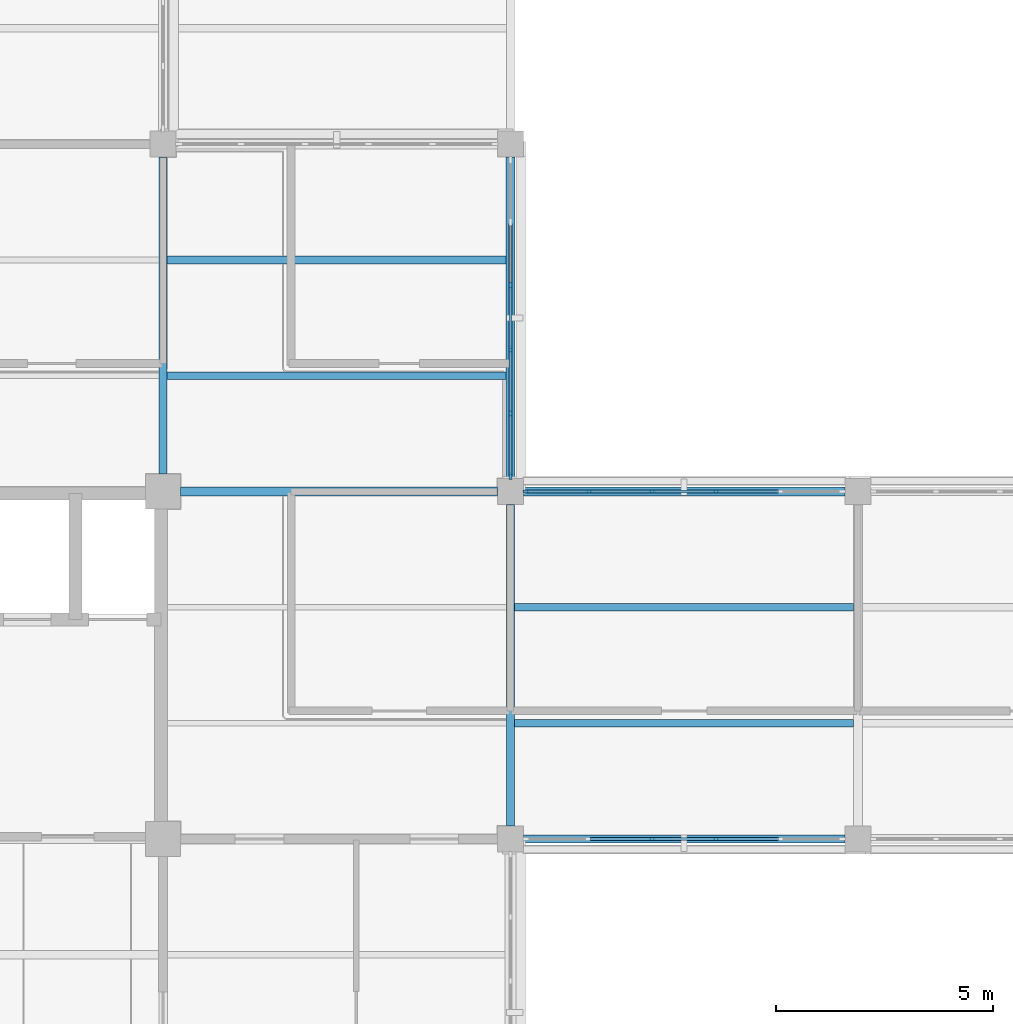
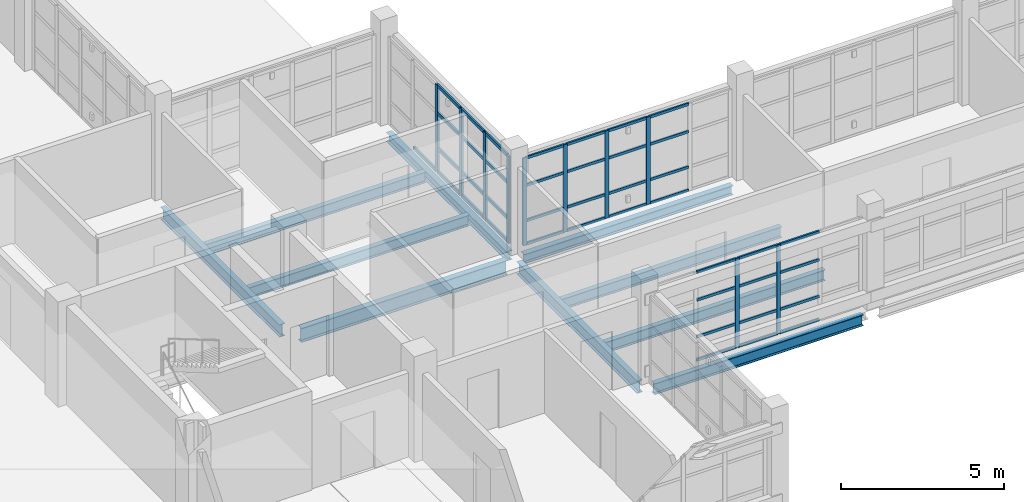
# One storey, part 30 of 126: 51 members, 10 beams, 3 elements without a shape of their own.
"""IFC4 building model written with IfcOpenShell, lengths in metres."""

from ifc_helpers import new_model, si_unit, derived_unit, direction, frame, origin, origin_2d, place, context, subcontext, project, spatial, rectangle, i_section, extrude, material, layer, layer_set, material_profile, profile_set, type_object, element, aggregate, save


model = new_model("IFC4")

# Units and contexts
model_context = context("Model", 3, precision=1e-05, world=origin(), true_north=direction((0.0, 1.0)))
body_context = subcontext(model_context, "Body", "Model", "MODEL_VIEW")
ifc_project = project(units=[si_unit("LENGTHUNIT", "METRE"), si_unit("AREAUNIT", "SQUARE_METRE"), si_unit("VOLUMEUNIT", "CUBIC_METRE"), si_unit("PLANEANGLEUNIT", "RADIAN"), si_unit("MASSUNIT", "GRAM", prefix="KILO"), derived_unit("THERMALTRANSMITTANCEUNIT", [(si_unit("MASSUNIT", "GRAM", prefix="KILO"), 1), (si_unit("TIMEUNIT", "SECOND"), -3), (si_unit("THERMODYNAMICTEMPERATUREUNIT", "KELVIN"), -1)])], contexts=[model_context])

# Site, building, storey
site_placement = place(None, origin())
site = spatial("IfcSite", under=ifc_project, at=site_placement, CompositionType="ELEMENT")
building_placement = place(site_placement, origin())
building = spatial("IfcBuilding", under=site, at=building_placement, Name="Veyamyaing Civic Hall", CompositionType="ELEMENT")
storey_placement = place(building_placement, frame((0.0, 0.0, 9.89990234375)))
storey = spatial("IfcBuildingStorey", under=building, at=storey_placement, Name="L02", CompositionType="ELEMENT", Elevation=9.89990234375)

# Beams
ifc_material_1 = material(Name="Steel ASTM A992", Category="steel")
ifc_material_profile_1 = material_profile(ifc_material_1, i_section(OverallWidth=0.208984375, OverallDepth=0.532958984375, WebThickness=0.01025390625, FlangeThickness=0.015625, FilletRadius=0.011962890625, at=origin_2d()), Name="W530X92")
ifc_profile_set_1 = profile_set([ifc_material_profile_1], Name="Steel ASTM A992")
beam_type_1 = type_object("IfcBeamType", Name="B-07", PredefinedType="BEAM", material=ifc_profile_set_1)
beam_1_placement = place(storey_placement, frame((112.39990234375, 56.0, -0.551513671875), z_axis=(1.0, 0.0, 0.0), x_axis=(0.0, 1.0, 0.0)))
element("IfcBeam", 1, at=beam_1_placement, inside=storey, type_object=beam_type_1, Name="Girder B-07 L02 Grid H 15-16", PredefinedType="BEAM", context=body_context, shape_type="SweptSolid", body=[
    extrude(i_section(OverallWidth=0.208984375, OverallDepth=0.532958984375, WebThickness=0.01025390625, FlangeThickness=0.015625, FilletRadius=0.011962890625, at=origin_2d()), origin(), (0.0, 0.0, 1.0), 7.300048828125),
])
ifc_material_profile_2 = material_profile(ifc_material_1, i_section(OverallWidth=0.19189453125, OverallDepth=0.462890625, WebThickness=0.010498046875, FlangeThickness=0.017578125, FilletRadius=0.010009765625, at=origin_2d()), Name="W460X89")
ifc_profile_set_2 = profile_set([ifc_material_profile_2], Name="Steel ASTM A992")
beam_type_2 = type_object("IfcBeamType", Name="B-08", PredefinedType="BEAM", material=ifc_profile_set_2)
beam_2_placement = place(storey_placement, frame((112.0, 56.39990234375, -0.516357421875), z_axis=(0.0, 1.0, 0.0), x_axis=(-1.0, 0.0, 0.0)))
element("IfcBeam", 2, at=beam_2_placement, inside=storey, type_object=beam_type_2, Name="Girder B-08 L02 Grid 15 H-J", PredefinedType="BEAM", context=body_context, shape_type="SweptSolid", body=[
    extrude(i_section(OverallWidth=0.19189453125, OverallDepth=0.462890625, WebThickness=0.010498046875, FlangeThickness=0.017578125, FilletRadius=0.010009765625, at=origin_2d()), origin(), (0.0, 0.0, 1.0), 7.300048828125),
])
beam_3_placement = place(storey_placement, frame((120.0, 48.300048828125, -0.516357421875), z_axis=(0.0, 1.0, 0.0), x_axis=(-1.0, 0.0, 0.0)))
element("IfcBeam", 3, at=beam_3_placement, inside=storey, type_object=beam_type_2, Name="Girder B-08 L02 Grid 16 G-H", PredefinedType="BEAM", context=body_context, shape_type="SweptSolid", body=[
    extrude(i_section(OverallWidth=0.19189453125, OverallDepth=0.462890625, WebThickness=0.010498046875, FlangeThickness=0.017578125, FilletRadius=0.010009765625, at=origin_2d()), origin(), (0.0, 0.0, 1.0), 7.39990234375),
])
ifc_material_profile_3 = material_profile(ifc_material_1, i_section(OverallWidth=0.179931640625, OverallDepth=0.4130859375, WebThickness=0.009765625, FlangeThickness=0.01611328125, FilletRadius=0.010009765625, at=origin_2d()), Name="W410X74")
ifc_profile_set_3 = profile_set([ifc_material_profile_3], Name="Steel ASTM A992")
beam_type_3 = type_object("IfcBeamType", Name="B-10", PredefinedType="SPANDREL", material=ifc_profile_set_3)
beam_4_placement = place(storey_placement, frame((120.300048828125, 48.0, -0.491455078125), z_axis=(1.0, 0.0, 0.0), x_axis=(0.0, 1.0, 0.0)))
element("IfcBeam", 4, at=beam_4_placement, inside=storey, type_object=beam_type_3, Name="Girder B-10 L02 Grid G 16-17", PredefinedType="SPANDREL", context=body_context, shape_type="SweptSolid", body=[
    extrude(i_section(OverallWidth=0.179931640625, OverallDepth=0.4130859375, WebThickness=0.009765625, FlangeThickness=0.01611328125, FilletRadius=0.010009765625, at=origin_2d()), origin(), (0.0, 0.0, 1.0), 7.39990234375),
])
ifc_material_profile_4 = material_profile(ifc_material_1, i_section(OverallWidth=0.2041015625, OverallDepth=0.35009765625, WebThickness=0.0078125, FlangeThickness=0.01513671875, FilletRadius=0.010009765625, at=origin_2d()), Name="W360X72")
ifc_profile_set_4 = profile_set([ifc_material_profile_4], Name="Steel ASTM A992")
beam_type_4 = type_object("IfcBeamType", Name="B-11", PredefinedType="SPANDREL", material=ifc_profile_set_4)
for number, where, z_axis, x_axis, name in (
    (5, (120.300048828125, 56.0, -0.4599609375), (1.0, 0.0, 0.0), (0.0, 1.0, 0.0), "Girder B-11 L02 Grid H 16-17"),
    (6, (120.0, 56.300048828125, -0.4599609375), (0.0, 1.0, 0.0), (-1.0, 0.0, 0.0), "Girder B-11 L02 Grid 16 H-J"),
):
    element("IfcBeam", number, at=place(storey_placement, frame(where, z_axis=z_axis, x_axis=x_axis)), inside=storey, type_object=beam_type_4, Name=name, PredefinedType="SPANDREL", context=body_context, shape_type="SweptSolid", body=[
        extrude(i_section(OverallWidth=0.2041015625, OverallDepth=0.35009765625, WebThickness=0.0078125, FlangeThickness=0.01513671875, FilletRadius=0.010009765625, at=origin_2d()), origin(), (0.0, 0.0, 1.0), 7.39990234375),
    ])

# Curtain wall, members
ifc_material_2 = material(Name="Anodised aluminium 6063-T6", Category="aluminium")
ifc_layer_1 = layer(ifc_material_2, 0.159912109375, Name="Anodised aluminium 6063-T6")
ifc_layer_set_1 = layer_set([ifc_layer_1], Name="Anodised aluminium 6063-T6")
curtain_wall_type_1 = type_object("IfcCurtainWallType", Name="CW-03", PredefinedType="NOTDEFINED", material=ifc_layer_set_1)
curtain_wall_1_placement = place(storey_placement, origin())
curtain_wall_1 = element("IfcCurtainWall", 7, at=curtain_wall_1_placement, inside=storey, type_object=curtain_wall_type_1, Name="Unitized curtain wall CW-03 L02 E 15.8", PredefinedType="NOTDEFINED")
ifc_material_profile_5 = material_profile(ifc_material_2, rectangle(XDim=0.06494140625, YDim=0.159912109375, at=origin_2d()), Name="ALU-MUL-65X160")
ifc_profile_set_5 = profile_set([ifc_material_profile_5], Name="Anodised aluminium 6063-T6")
member_type_1 = type_object("IfcMemberType", Name="CWM-01", PredefinedType="MULLION", material=ifc_profile_set_5)
member_1_placement = place(storey_placement, frame((120.0, 56.362548828125, 0.0), z_axis=(0.0, 0.0, 1.0), x_axis=(-1.0, 0.0, 0.0)))
member_1 = element("IfcMember", 8, at=member_1_placement, type_object=member_type_1, Name="CW-03 mullion 1", PredefinedType="MULLION", context=body_context, shape_type="SweptSolid", body=[
    extrude(rectangle(XDim=0.06494140625, YDim=0.159912109375, at=origin_2d()), origin(), (0.0, 0.0, 1.0), 3.280029296875),
])
member_2_placement = place(storey_placement, frame((120.0, 57.798095703125, 0.0), z_axis=(0.0, 0.0, 1.0), x_axis=(-1.0, 0.0, 0.0)))
member_2 = element("IfcMember", 9, at=member_2_placement, type_object=member_type_1, Name="CW-03 mullion 2", PredefinedType="MULLION", context=body_context, shape_type="SweptSolid", body=[
    extrude(rectangle(XDim=0.06494140625, YDim=0.159912109375, at=origin_2d()), origin(), (0.0, 0.0, 1.0), 3.280029296875),
])
member_3_placement = place(storey_placement, frame((120.0, 59.26611328125, 0.0), z_axis=(0.0, 0.0, 1.0), x_axis=(-1.0, 0.0, 0.0)))
member_3 = element("IfcMember", 10, at=member_3_placement, type_object=member_type_1, Name="CW-03 mullion 3", PredefinedType="MULLION", context=body_context, shape_type="SweptSolid", body=[
    extrude(rectangle(XDim=0.06494140625, YDim=0.159912109375, at=origin_2d()), origin(), (0.0, 0.0, 1.0), 3.280029296875),
])
member_4_placement = place(storey_placement, frame((120.0, 60.73388671875, 0.0), z_axis=(0.0, 0.0, 1.0), x_axis=(-1.0, 0.0, 0.0)))
member_4 = element("IfcMember", 11, at=member_4_placement, type_object=member_type_1, Name="CW-03 mullion 4", PredefinedType="MULLION", context=body_context, shape_type="SweptSolid", body=[
    extrude(rectangle(XDim=0.06494140625, YDim=0.159912109375, at=origin_2d()), origin(), (0.0, 0.0, 1.0), 3.280029296875),
])

ifc_layer_2 = layer(ifc_material_2, 0.139892578125, Name="Anodised aluminium 6063-T6")
ifc_layer_set_2 = layer_set([ifc_layer_2], Name="Anodised aluminium 6063-T6")
curtain_wall_type_2 = type_object("IfcCurtainWallType", Name="CW-04", PredefinedType="NOTDEFINED", material=ifc_layer_set_2)
curtain_wall_2_placement = place(storey_placement, origin())
curtain_wall_2 = element("IfcCurtainWall", 12, at=curtain_wall_2_placement, inside=storey, type_object=curtain_wall_type_2, Name="Unitized curtain wall CW-04 L02 S 16.7", PredefinedType="NOTDEFINED")
ifc_material_profile_6 = material_profile(ifc_material_2, rectangle(XDim=0.06005859375, YDim=0.139892578125, at=origin_2d()), Name="ALU-MUL-60X140")
ifc_profile_set_6 = profile_set([ifc_material_profile_6], Name="Anodised aluminium 6063-T6")
member_type_2 = type_object("IfcMemberType", Name="CWM-03", PredefinedType="MULLION", material=ifc_profile_set_6)
member_5_placement = place(storey_placement, frame((123.26611328125, 48.0, 0.0), z_axis=(0.0, 0.0, 1.0), x_axis=(0.0, 1.0, 0.0)))
member_5 = element("IfcMember", 13, at=member_5_placement, type_object=member_type_2, Name="CW-04 mullion 3", PredefinedType="MULLION", context=body_context, shape_type="SweptSolid", body=[
    extrude(rectangle(XDim=0.06005859375, YDim=0.139892578125, at=origin_2d()), origin(), (0.0, 0.0, 1.0), 3.34716796875),
])
member_6_placement = place(storey_placement, frame((124.73388671875, 48.0, 0.0), z_axis=(0.0, 0.0, 1.0), x_axis=(0.0, 1.0, 0.0)))
member_6 = element("IfcMember", 14, at=member_6_placement, type_object=member_type_2, Name="CW-04 mullion 4", PredefinedType="MULLION", context=body_context, shape_type="SweptSolid", body=[
    extrude(rectangle(XDim=0.06005859375, YDim=0.139892578125, at=origin_2d()), origin(), (0.0, 0.0, 1.0), 3.34716796875),
])

curtain_wall_3_placement = place(storey_placement, origin())
curtain_wall_3 = element("IfcCurtainWall", 15, at=curtain_wall_3_placement, inside=storey, type_object=curtain_wall_type_2, Name="Unitized curtain wall CW-04 L02 N 16.7", PredefinedType="NOTDEFINED")
member_7_placement = place(storey_placement, frame((120.360107421875, 56.0, 0.0), z_axis=(0.0, 0.0, 1.0), x_axis=(0.0, 1.0, 0.0)))
member_7 = element("IfcMember", 16, at=member_7_placement, type_object=member_type_2, Name="CW-04 mullion 1", PredefinedType="MULLION", context=body_context, shape_type="SweptSolid", body=[
    extrude(rectangle(XDim=0.06005859375, YDim=0.139892578125, at=origin_2d()), origin(), (0.0, 0.0, 1.0), 3.280029296875),
])
member_8_placement = place(storey_placement, frame((121.798095703125, 56.0, 0.0), z_axis=(0.0, 0.0, 1.0), x_axis=(0.0, 1.0, 0.0)))
member_8 = element("IfcMember", 17, at=member_8_placement, type_object=member_type_2, Name="CW-04 mullion 2", PredefinedType="MULLION", context=body_context, shape_type="SweptSolid", body=[
    extrude(rectangle(XDim=0.06005859375, YDim=0.139892578125, at=origin_2d()), origin(), (0.0, 0.0, 1.0), 3.280029296875),
])
member_9_placement = place(storey_placement, frame((123.26611328125, 56.0, 0.0), z_axis=(0.0, 0.0, 1.0), x_axis=(0.0, 1.0, 0.0)))
member_9 = element("IfcMember", 18, at=member_9_placement, type_object=member_type_2, Name="CW-04 mullion 3", PredefinedType="MULLION", context=body_context, shape_type="SweptSolid", body=[
    extrude(rectangle(XDim=0.06005859375, YDim=0.139892578125, at=origin_2d()), origin(), (0.0, 0.0, 1.0), 3.280029296875),
])
member_10_placement = place(storey_placement, frame((124.73388671875, 56.0, 0.0), z_axis=(0.0, 0.0, 1.0), x_axis=(0.0, 1.0, 0.0)))
member_10 = element("IfcMember", 19, at=member_10_placement, type_object=member_type_2, Name="CW-04 mullion 4", PredefinedType="MULLION", context=body_context, shape_type="SweptSolid", body=[
    extrude(rectangle(XDim=0.06005859375, YDim=0.139892578125, at=origin_2d()), origin(), (0.0, 0.0, 1.0), 3.280029296875),
])

# Member
ifc_material_profile_7 = material_profile(ifc_material_2, rectangle(XDim=0.06494140625, YDim=0.1201171875, at=origin_2d()), Name="ALU-TRN-65X120")
ifc_profile_set_7 = profile_set([ifc_material_profile_7], Name="Anodised aluminium 6063-T6")
member_type_3 = type_object("IfcMemberType", Name="CWT-01", PredefinedType="USERDEFINED", material=ifc_profile_set_7)
member_11_placement = place(storey_placement, frame((120.0, 56.39501953125, 0.03271484375), z_axis=(0.0, 1.0, 0.0), x_axis=(-1.0, 0.0, 0.0)))
member_11 = element("IfcMember", 20, at=member_11_placement, type_object=member_type_3, Name="CW-03 transom 1.1", ObjectType="TRANSOM", PredefinedType="USERDEFINED", context=body_context, shape_type="SweptSolid", body=[
    extrude(rectangle(XDim=0.06494140625, YDim=0.1201171875, at=origin_2d()), origin(), (0.0, 0.0, 1.0), 1.370361328125),
])

member_12_placement = place(storey_placement, frame((120.0, 56.39501953125, 0.900146484375), z_axis=(0.0, 1.0, 0.0), x_axis=(-1.0, 0.0, 0.0)))
member_12 = element("IfcMember", 21, at=member_12_placement, type_object=member_type_3, Name="CW-03 transom 1.2", ObjectType="TRANSOM", PredefinedType="USERDEFINED", context=body_context, shape_type="SweptSolid", body=[
    extrude(rectangle(XDim=0.06494140625, YDim=0.1201171875, at=origin_2d()), origin(), (0.0, 0.0, 1.0), 1.370361328125),
])

member_13_placement = place(storey_placement, frame((120.0, 56.39501953125, 2.23046875), z_axis=(0.0, 1.0, 0.0), x_axis=(-1.0, 0.0, 0.0)))
member_13 = element("IfcMember", 22, at=member_13_placement, type_object=member_type_3, Name="CW-03 transom 1.3", ObjectType="TRANSOM", PredefinedType="USERDEFINED", context=body_context, shape_type="SweptSolid", body=[
    extrude(rectangle(XDim=0.06494140625, YDim=0.1201171875, at=origin_2d()), origin(), (0.0, 0.0, 1.0), 1.370361328125),
])

member_14_placement = place(storey_placement, frame((120.0, 56.39501953125, 3.24755859375), z_axis=(0.0, 1.0, 0.0), x_axis=(-1.0, 0.0, 0.0)))
member_14 = element("IfcMember", 23, at=member_14_placement, type_object=member_type_3, Name="CW-03 transom 1.4", ObjectType="TRANSOM", PredefinedType="USERDEFINED", context=body_context, shape_type="SweptSolid", body=[
    extrude(rectangle(XDim=0.06494140625, YDim=0.1201171875, at=origin_2d()), origin(), (0.0, 0.0, 1.0), 1.370361328125),
])

member_15_placement = place(storey_placement, frame((120.0, 57.83056640625, 0.03271484375), z_axis=(0.0, 1.0, 0.0), x_axis=(-1.0, 0.0, 0.0)))
member_15 = element("IfcMember", 24, at=member_15_placement, type_object=member_type_3, Name="CW-03 transom 2.1", ObjectType="TRANSOM", PredefinedType="USERDEFINED", context=body_context, shape_type="SweptSolid", body=[
    extrude(rectangle(XDim=0.06494140625, YDim=0.1201171875, at=origin_2d()), origin(), (0.0, 0.0, 1.0), 1.40283203125),
])

member_16_placement = place(storey_placement, frame((120.0, 57.83056640625, 0.900146484375), z_axis=(0.0, 1.0, 0.0), x_axis=(-1.0, 0.0, 0.0)))
member_16 = element("IfcMember", 25, at=member_16_placement, type_object=member_type_3, Name="CW-03 transom 2.2", ObjectType="TRANSOM", PredefinedType="USERDEFINED", context=body_context, shape_type="SweptSolid", body=[
    extrude(rectangle(XDim=0.06494140625, YDim=0.1201171875, at=origin_2d()), origin(), (0.0, 0.0, 1.0), 1.40283203125),
])

member_17_placement = place(storey_placement, frame((120.0, 57.83056640625, 2.23046875), z_axis=(0.0, 1.0, 0.0), x_axis=(-1.0, 0.0, 0.0)))
member_17 = element("IfcMember", 26, at=member_17_placement, type_object=member_type_3, Name="CW-03 transom 2.3", ObjectType="TRANSOM", PredefinedType="USERDEFINED", context=body_context, shape_type="SweptSolid", body=[
    extrude(rectangle(XDim=0.06494140625, YDim=0.1201171875, at=origin_2d()), origin(), (0.0, 0.0, 1.0), 1.40283203125),
])

member_18_placement = place(storey_placement, frame((120.0, 57.83056640625, 3.24755859375), z_axis=(0.0, 1.0, 0.0), x_axis=(-1.0, 0.0, 0.0)))
member_18 = element("IfcMember", 27, at=member_18_placement, type_object=member_type_3, Name="CW-03 transom 2.4", ObjectType="TRANSOM", PredefinedType="USERDEFINED", context=body_context, shape_type="SweptSolid", body=[
    extrude(rectangle(XDim=0.06494140625, YDim=0.1201171875, at=origin_2d()), origin(), (0.0, 0.0, 1.0), 1.40283203125),
])

member_19_placement = place(storey_placement, frame((120.0, 59.298583984375, 0.03271484375), z_axis=(0.0, 1.0, 0.0), x_axis=(-1.0, 0.0, 0.0)))
member_19 = element("IfcMember", 28, at=member_19_placement, type_object=member_type_3, Name="CW-03 transom 3.1", ObjectType="TRANSOM", PredefinedType="USERDEFINED", context=body_context, shape_type="SweptSolid", body=[
    extrude(rectangle(XDim=0.06494140625, YDim=0.1201171875, at=origin_2d()), origin(), (0.0, 0.0, 1.0), 1.40283203125),
])

member_20_placement = place(storey_placement, frame((120.0, 59.298583984375, 0.900146484375), z_axis=(0.0, 1.0, 0.0), x_axis=(-1.0, 0.0, 0.0)))
member_20 = element("IfcMember", 29, at=member_20_placement, type_object=member_type_3, Name="CW-03 transom 3.2", ObjectType="TRANSOM", PredefinedType="USERDEFINED", context=body_context, shape_type="SweptSolid", body=[
    extrude(rectangle(XDim=0.06494140625, YDim=0.1201171875, at=origin_2d()), origin(), (0.0, 0.0, 1.0), 1.40283203125),
])

member_21_placement = place(storey_placement, frame((120.0, 59.298583984375, 2.23046875), z_axis=(0.0, 1.0, 0.0), x_axis=(-1.0, 0.0, 0.0)))
member_21 = element("IfcMember", 30, at=member_21_placement, type_object=member_type_3, Name="CW-03 transom 3.3", ObjectType="TRANSOM", PredefinedType="USERDEFINED", context=body_context, shape_type="SweptSolid", body=[
    extrude(rectangle(XDim=0.06494140625, YDim=0.1201171875, at=origin_2d()), origin(), (0.0, 0.0, 1.0), 1.40283203125),
])

member_22_placement = place(storey_placement, frame((120.0, 59.298583984375, 3.24755859375), z_axis=(0.0, 1.0, 0.0), x_axis=(-1.0, 0.0, 0.0)))
member_22 = element("IfcMember", 31, at=member_22_placement, type_object=member_type_3, Name="CW-03 transom 3.4", ObjectType="TRANSOM", PredefinedType="USERDEFINED", context=body_context, shape_type="SweptSolid", body=[
    extrude(rectangle(XDim=0.06494140625, YDim=0.1201171875, at=origin_2d()), origin(), (0.0, 0.0, 1.0), 1.40283203125),
])

member_23_placement = place(storey_placement, frame((120.0, 60.7666015625, 0.03271484375), z_axis=(0.0, 1.0, 0.0), x_axis=(-1.0, 0.0, 0.0)))
member_23 = element("IfcMember", 32, at=member_23_placement, type_object=member_type_3, Name="CW-03 transom 4.1", ObjectType="TRANSOM", PredefinedType="USERDEFINED", context=body_context, shape_type="SweptSolid", body=[
    extrude(rectangle(XDim=0.06494140625, YDim=0.1201171875, at=origin_2d()), origin(), (0.0, 0.0, 1.0), 1.40283203125),
])

aggregate(curtain_wall_1, [member_1, member_2, member_3, member_4, member_11, member_12, member_13, member_14, member_15, member_16, member_17, member_18, member_19, member_20, member_21, member_22, member_23])

ifc_material_profile_8 = material_profile(ifc_material_2, rectangle(XDim=0.06005859375, YDim=0.10009765625, at=origin_2d()), Name="ALU-TRN-60X100")
ifc_profile_set_8 = profile_set([ifc_material_profile_8], Name="Anodised aluminium 6063-T6")
member_type_4 = type_object("IfcMemberType", Name="CWT-03", PredefinedType="USERDEFINED", material=ifc_profile_set_8)
member_24_placement = place(storey_placement, frame((121.827880859375, 48.0, 0.030029296875), z_axis=(1.0, 0.0, 0.0), x_axis=(0.0, 1.0, 0.0)))
member_24 = element("IfcMember", 33, at=member_24_placement, type_object=member_type_4, Name="CW-04 transom 2.1", ObjectType="TRANSOM", PredefinedType="USERDEFINED", context=body_context, shape_type="SweptSolid", body=[
    extrude(rectangle(XDim=0.06005859375, YDim=0.10009765625, at=origin_2d()), origin(), (0.0, 0.0, 1.0), 1.408203125),
])

member_25_placement = place(storey_placement, frame((121.827880859375, 48.0, 0.900146484375), z_axis=(1.0, 0.0, 0.0), x_axis=(0.0, 1.0, 0.0)))
member_25 = element("IfcMember", 34, at=member_25_placement, type_object=member_type_4, Name="CW-04 transom 2.2", ObjectType="TRANSOM", PredefinedType="USERDEFINED", context=body_context, shape_type="SweptSolid", body=[
    extrude(rectangle(XDim=0.06005859375, YDim=0.10009765625, at=origin_2d()), origin(), (0.0, 0.0, 1.0), 1.408203125),
])

member_26_placement = place(storey_placement, frame((121.827880859375, 48.0, 2.276123046875), z_axis=(1.0, 0.0, 0.0), x_axis=(0.0, 1.0, 0.0)))
member_26 = element("IfcMember", 35, at=member_26_placement, type_object=member_type_4, Name="CW-04 transom 2.3", ObjectType="TRANSOM", PredefinedType="USERDEFINED", context=body_context, shape_type="SweptSolid", body=[
    extrude(rectangle(XDim=0.06005859375, YDim=0.10009765625, at=origin_2d()), origin(), (0.0, 0.0, 1.0), 1.408203125),
])

member_27_placement = place(storey_placement, frame((121.827880859375, 48.0, 3.317138671875), z_axis=(1.0, 0.0, 0.0), x_axis=(0.0, 1.0, 0.0)))
member_27 = element("IfcMember", 36, at=member_27_placement, type_object=member_type_4, Name="CW-04 transom 2.4", ObjectType="TRANSOM", PredefinedType="USERDEFINED", context=body_context, shape_type="SweptSolid", body=[
    extrude(rectangle(XDim=0.06005859375, YDim=0.10009765625, at=origin_2d()), origin(), (0.0, 0.0, 1.0), 1.408203125),
])

member_28_placement = place(storey_placement, frame((123.2958984375, 48.0, 0.030029296875), z_axis=(1.0, 0.0, 0.0), x_axis=(0.0, 1.0, 0.0)))
member_28 = element("IfcMember", 37, at=member_28_placement, type_object=member_type_4, Name="CW-04 transom 3.1", ObjectType="TRANSOM", PredefinedType="USERDEFINED", context=body_context, shape_type="SweptSolid", body=[
    extrude(rectangle(XDim=0.06005859375, YDim=0.10009765625, at=origin_2d()), origin(), (0.0, 0.0, 1.0), 1.408203125),
])

member_29_placement = place(storey_placement, frame((123.2958984375, 48.0, 0.900146484375), z_axis=(1.0, 0.0, 0.0), x_axis=(0.0, 1.0, 0.0)))
member_29 = element("IfcMember", 38, at=member_29_placement, type_object=member_type_4, Name="CW-04 transom 3.2", ObjectType="TRANSOM", PredefinedType="USERDEFINED", context=body_context, shape_type="SweptSolid", body=[
    extrude(rectangle(XDim=0.06005859375, YDim=0.10009765625, at=origin_2d()), origin(), (0.0, 0.0, 1.0), 1.408203125),
])

member_30_placement = place(storey_placement, frame((123.2958984375, 48.0, 2.276123046875), z_axis=(1.0, 0.0, 0.0), x_axis=(0.0, 1.0, 0.0)))
member_30 = element("IfcMember", 39, at=member_30_placement, type_object=member_type_4, Name="CW-04 transom 3.3", ObjectType="TRANSOM", PredefinedType="USERDEFINED", context=body_context, shape_type="SweptSolid", body=[
    extrude(rectangle(XDim=0.06005859375, YDim=0.10009765625, at=origin_2d()), origin(), (0.0, 0.0, 1.0), 1.408203125),
])

member_31_placement = place(storey_placement, frame((123.2958984375, 48.0, 3.317138671875), z_axis=(1.0, 0.0, 0.0), x_axis=(0.0, 1.0, 0.0)))
member_31 = element("IfcMember", 40, at=member_31_placement, type_object=member_type_4, Name="CW-04 transom 3.4", ObjectType="TRANSOM", PredefinedType="USERDEFINED", context=body_context, shape_type="SweptSolid", body=[
    extrude(rectangle(XDim=0.06005859375, YDim=0.10009765625, at=origin_2d()), origin(), (0.0, 0.0, 1.0), 1.408203125),
])

member_32_placement = place(storey_placement, frame((124.763916015625, 48.0, 0.030029296875), z_axis=(1.0, 0.0, 0.0), x_axis=(0.0, 1.0, 0.0)))
member_32 = element("IfcMember", 41, at=member_32_placement, type_object=member_type_4, Name="CW-04 transom 4.1", ObjectType="TRANSOM", PredefinedType="USERDEFINED", context=body_context, shape_type="SweptSolid", body=[
    extrude(rectangle(XDim=0.06005859375, YDim=0.10009765625, at=origin_2d()), origin(), (0.0, 0.0, 1.0), 1.408203125),
])

member_33_placement = place(storey_placement, frame((124.763916015625, 48.0, 0.900146484375), z_axis=(1.0, 0.0, 0.0), x_axis=(0.0, 1.0, 0.0)))
member_33 = element("IfcMember", 42, at=member_33_placement, type_object=member_type_4, Name="CW-04 transom 4.2", ObjectType="TRANSOM", PredefinedType="USERDEFINED", context=body_context, shape_type="SweptSolid", body=[
    extrude(rectangle(XDim=0.06005859375, YDim=0.10009765625, at=origin_2d()), origin(), (0.0, 0.0, 1.0), 1.408203125),
])

member_34_placement = place(storey_placement, frame((124.763916015625, 48.0, 2.276123046875), z_axis=(1.0, 0.0, 0.0), x_axis=(0.0, 1.0, 0.0)))
member_34 = element("IfcMember", 43, at=member_34_placement, type_object=member_type_4, Name="CW-04 transom 4.3", ObjectType="TRANSOM", PredefinedType="USERDEFINED", context=body_context, shape_type="SweptSolid", body=[
    extrude(rectangle(XDim=0.06005859375, YDim=0.10009765625, at=origin_2d()), origin(), (0.0, 0.0, 1.0), 1.408203125),
])

member_35_placement = place(storey_placement, frame((124.763916015625, 48.0, 3.317138671875), z_axis=(1.0, 0.0, 0.0), x_axis=(0.0, 1.0, 0.0)))
member_35 = element("IfcMember", 44, at=member_35_placement, type_object=member_type_4, Name="CW-04 transom 4.4", ObjectType="TRANSOM", PredefinedType="USERDEFINED", context=body_context, shape_type="SweptSolid", body=[
    extrude(rectangle(XDim=0.06005859375, YDim=0.10009765625, at=origin_2d()), origin(), (0.0, 0.0, 1.0), 1.408203125),
])

aggregate(curtain_wall_2, [member_5, member_6, member_24, member_25, member_26, member_27, member_28, member_29, member_30, member_31, member_32, member_33, member_34, member_35])

member_36_placement = place(storey_placement, frame((120.389892578125, 56.0, 0.030029296875), z_axis=(1.0, 0.0, 0.0), x_axis=(0.0, 1.0, 0.0)))
member_36 = element("IfcMember", 45, at=member_36_placement, type_object=member_type_4, Name="CW-04 transom 1.1", ObjectType="TRANSOM", PredefinedType="USERDEFINED", context=body_context, shape_type="SweptSolid", body=[
    extrude(rectangle(XDim=0.06005859375, YDim=0.10009765625, at=origin_2d()), origin(), (0.0, 0.0, 1.0), 1.378173828125),
])

member_37_placement = place(storey_placement, frame((120.389892578125, 56.0, 0.900146484375), z_axis=(1.0, 0.0, 0.0), x_axis=(0.0, 1.0, 0.0)))
member_37 = element("IfcMember", 46, at=member_37_placement, type_object=member_type_4, Name="CW-04 transom 1.2", ObjectType="TRANSOM", PredefinedType="USERDEFINED", context=body_context, shape_type="SweptSolid", body=[
    extrude(rectangle(XDim=0.06005859375, YDim=0.10009765625, at=origin_2d()), origin(), (0.0, 0.0, 1.0), 1.378173828125),
])

member_38_placement = place(storey_placement, frame((120.389892578125, 56.0, 2.23046875), z_axis=(1.0, 0.0, 0.0), x_axis=(0.0, 1.0, 0.0)))
member_38 = element("IfcMember", 47, at=member_38_placement, type_object=member_type_4, Name="CW-04 transom 1.3", ObjectType="TRANSOM", PredefinedType="USERDEFINED", context=body_context, shape_type="SweptSolid", body=[
    extrude(rectangle(XDim=0.06005859375, YDim=0.10009765625, at=origin_2d()), origin(), (0.0, 0.0, 1.0), 1.378173828125),
])

member_39_placement = place(storey_placement, frame((120.389892578125, 56.0, 3.25), z_axis=(1.0, 0.0, 0.0), x_axis=(0.0, 1.0, 0.0)))
member_39 = element("IfcMember", 48, at=member_39_placement, type_object=member_type_4, Name="CW-04 transom 1.4", ObjectType="TRANSOM", PredefinedType="USERDEFINED", context=body_context, shape_type="SweptSolid", body=[
    extrude(rectangle(XDim=0.06005859375, YDim=0.10009765625, at=origin_2d()), origin(), (0.0, 0.0, 1.0), 1.378173828125),
])

member_40_placement = place(storey_placement, frame((121.827880859375, 56.0, 0.030029296875), z_axis=(1.0, 0.0, 0.0), x_axis=(0.0, 1.0, 0.0)))
member_40 = element("IfcMember", 49, at=member_40_placement, type_object=member_type_4, Name="CW-04 transom 2.1", ObjectType="TRANSOM", PredefinedType="USERDEFINED", context=body_context, shape_type="SweptSolid", body=[
    extrude(rectangle(XDim=0.06005859375, YDim=0.10009765625, at=origin_2d()), origin(), (0.0, 0.0, 1.0), 1.408203125),
])

member_41_placement = place(storey_placement, frame((121.827880859375, 56.0, 0.900146484375), z_axis=(1.0, 0.0, 0.0), x_axis=(0.0, 1.0, 0.0)))
member_41 = element("IfcMember", 50, at=member_41_placement, type_object=member_type_4, Name="CW-04 transom 2.2", ObjectType="TRANSOM", PredefinedType="USERDEFINED", context=body_context, shape_type="SweptSolid", body=[
    extrude(rectangle(XDim=0.06005859375, YDim=0.10009765625, at=origin_2d()), origin(), (0.0, 0.0, 1.0), 1.408203125),
])

member_42_placement = place(storey_placement, frame((121.827880859375, 56.0, 2.23046875), z_axis=(1.0, 0.0, 0.0), x_axis=(0.0, 1.0, 0.0)))
member_42 = element("IfcMember", 51, at=member_42_placement, type_object=member_type_4, Name="CW-04 transom 2.3", ObjectType="TRANSOM", PredefinedType="USERDEFINED", context=body_context, shape_type="SweptSolid", body=[
    extrude(rectangle(XDim=0.06005859375, YDim=0.10009765625, at=origin_2d()), origin(), (0.0, 0.0, 1.0), 1.408203125),
])

member_43_placement = place(storey_placement, frame((121.827880859375, 56.0, 3.25), z_axis=(1.0, 0.0, 0.0), x_axis=(0.0, 1.0, 0.0)))
member_43 = element("IfcMember", 52, at=member_43_placement, type_object=member_type_4, Name="CW-04 transom 2.4", ObjectType="TRANSOM", PredefinedType="USERDEFINED", context=body_context, shape_type="SweptSolid", body=[
    extrude(rectangle(XDim=0.06005859375, YDim=0.10009765625, at=origin_2d()), origin(), (0.0, 0.0, 1.0), 1.408203125),
])

member_44_placement = place(storey_placement, frame((123.2958984375, 56.0, 0.030029296875), z_axis=(1.0, 0.0, 0.0), x_axis=(0.0, 1.0, 0.0)))
member_44 = element("IfcMember", 53, at=member_44_placement, type_object=member_type_4, Name="CW-04 transom 3.1", ObjectType="TRANSOM", PredefinedType="USERDEFINED", context=body_context, shape_type="SweptSolid", body=[
    extrude(rectangle(XDim=0.06005859375, YDim=0.10009765625, at=origin_2d()), origin(), (0.0, 0.0, 1.0), 1.408203125),
])

member_45_placement = place(storey_placement, frame((123.2958984375, 56.0, 0.900146484375), z_axis=(1.0, 0.0, 0.0), x_axis=(0.0, 1.0, 0.0)))
member_45 = element("IfcMember", 54, at=member_45_placement, type_object=member_type_4, Name="CW-04 transom 3.2", ObjectType="TRANSOM", PredefinedType="USERDEFINED", context=body_context, shape_type="SweptSolid", body=[
    extrude(rectangle(XDim=0.06005859375, YDim=0.10009765625, at=origin_2d()), origin(), (0.0, 0.0, 1.0), 1.408203125),
])

member_46_placement = place(storey_placement, frame((123.2958984375, 56.0, 2.23046875), z_axis=(1.0, 0.0, 0.0), x_axis=(0.0, 1.0, 0.0)))
member_46 = element("IfcMember", 55, at=member_46_placement, type_object=member_type_4, Name="CW-04 transom 3.3", ObjectType="TRANSOM", PredefinedType="USERDEFINED", context=body_context, shape_type="SweptSolid", body=[
    extrude(rectangle(XDim=0.06005859375, YDim=0.10009765625, at=origin_2d()), origin(), (0.0, 0.0, 1.0), 1.408203125),
])

member_47_placement = place(storey_placement, frame((123.2958984375, 56.0, 3.25), z_axis=(1.0, 0.0, 0.0), x_axis=(0.0, 1.0, 0.0)))
member_47 = element("IfcMember", 56, at=member_47_placement, type_object=member_type_4, Name="CW-04 transom 3.4", ObjectType="TRANSOM", PredefinedType="USERDEFINED", context=body_context, shape_type="SweptSolid", body=[
    extrude(rectangle(XDim=0.06005859375, YDim=0.10009765625, at=origin_2d()), origin(), (0.0, 0.0, 1.0), 1.408203125),
])

member_48_placement = place(storey_placement, frame((124.763916015625, 56.0, 0.030029296875), z_axis=(1.0, 0.0, 0.0), x_axis=(0.0, 1.0, 0.0)))
member_48 = element("IfcMember", 57, at=member_48_placement, type_object=member_type_4, Name="CW-04 transom 4.1", ObjectType="TRANSOM", PredefinedType="USERDEFINED", context=body_context, shape_type="SweptSolid", body=[
    extrude(rectangle(XDim=0.06005859375, YDim=0.10009765625, at=origin_2d()), origin(), (0.0, 0.0, 1.0), 1.408203125),
])

member_49_placement = place(storey_placement, frame((124.763916015625, 56.0, 0.900146484375), z_axis=(1.0, 0.0, 0.0), x_axis=(0.0, 1.0, 0.0)))
member_49 = element("IfcMember", 58, at=member_49_placement, type_object=member_type_4, Name="CW-04 transom 4.2", ObjectType="TRANSOM", PredefinedType="USERDEFINED", context=body_context, shape_type="SweptSolid", body=[
    extrude(rectangle(XDim=0.06005859375, YDim=0.10009765625, at=origin_2d()), origin(), (0.0, 0.0, 1.0), 1.408203125),
])

member_50_placement = place(storey_placement, frame((124.763916015625, 56.0, 2.23046875), z_axis=(1.0, 0.0, 0.0), x_axis=(0.0, 1.0, 0.0)))
member_50 = element("IfcMember", 59, at=member_50_placement, type_object=member_type_4, Name="CW-04 transom 4.3", ObjectType="TRANSOM", PredefinedType="USERDEFINED", context=body_context, shape_type="SweptSolid", body=[
    extrude(rectangle(XDim=0.06005859375, YDim=0.10009765625, at=origin_2d()), origin(), (0.0, 0.0, 1.0), 1.408203125),
])

member_51_placement = place(storey_placement, frame((124.763916015625, 56.0, 3.25), z_axis=(1.0, 0.0, 0.0), x_axis=(0.0, 1.0, 0.0)))
member_51 = element("IfcMember", 60, at=member_51_placement, type_object=member_type_4, Name="CW-04 transom 4.4", ObjectType="TRANSOM", PredefinedType="USERDEFINED", context=body_context, shape_type="SweptSolid", body=[
    extrude(rectangle(XDim=0.06005859375, YDim=0.10009765625, at=origin_2d()), origin(), (0.0, 0.0, 1.0), 1.408203125),
])

aggregate(curtain_wall_3, [member_7, member_8, member_9, member_10, member_36, member_37, member_38, member_39, member_40, member_41, member_42, member_43, member_44, member_45, member_46, member_47, member_48, member_49, member_50, member_51])

# Beams
ifc_material_profile_9 = material_profile(ifc_material_1, i_section(OverallWidth=0.177978515625, OverallDepth=0.406982421875, WebThickness=0.0078125, FlangeThickness=0.0126953125, FilletRadius=0.010009765625, at=origin_2d()), Name="W410X60")
ifc_profile_set_9 = profile_set([ifc_material_profile_9], Name="Steel ASTM A992")
beam_type_5 = type_object("IfcBeamType", Name="J-01", PredefinedType="JOIST", material=ifc_profile_set_9)
for number, where, z_axis, x_axis, name in (
    (61, (112.093994140625, 58.666748046875, -0.48828125), (1.0, 0.0, 0.0), (0.0, 1.0, 0.0), "Composite floor joist J-01 L02 15.8.1"),
    (62, (112.093994140625, 61.333251953125, -0.48828125), (1.0, 0.0, 0.0), (0.0, 1.0, 0.0), "Composite floor joist J-01 L02 15.8.2"),
):
    element("IfcBeam", number, at=place(storey_placement, frame(where, z_axis=z_axis, x_axis=x_axis)), inside=storey, type_object=beam_type_5, Name=name, PredefinedType="JOIST", context=body_context, shape_type="SweptSolid", body=[
        extrude(i_section(OverallWidth=0.177978515625, OverallDepth=0.406982421875, WebThickness=0.0078125, FlangeThickness=0.0126953125, FilletRadius=0.010009765625, at=origin_2d()), origin(), (0.0, 0.0, 1.0), 7.805908203125),
    ])
for number, where, z_axis, x_axis, name in (
    (63, (120.093994140625, 50.666748046875, -0.48828125), (1.0, 0.0, 0.0), (0.0, 1.0, 0.0), "Composite floor joist J-01 L02 16.7.1"),
    (64, (120.093994140625, 53.333251953125, -0.48828125), (1.0, 0.0, 0.0), (0.0, 1.0, 0.0), "Composite floor joist J-01 L02 16.7.2"),
):
    element("IfcBeam", number, at=place(storey_placement, frame(where, z_axis=z_axis, x_axis=x_axis)), inside=storey, type_object=beam_type_5, Name=name, PredefinedType="JOIST", context=body_context, shape_type="SweptSolid", body=[
        extrude(i_section(OverallWidth=0.177978515625, OverallDepth=0.406982421875, WebThickness=0.0078125, FlangeThickness=0.0126953125, FilletRadius=0.010009765625, at=origin_2d()), origin(), (0.0, 0.0, 1.0), 7.802490234375),
    ])

save(model, "model.ifc")
